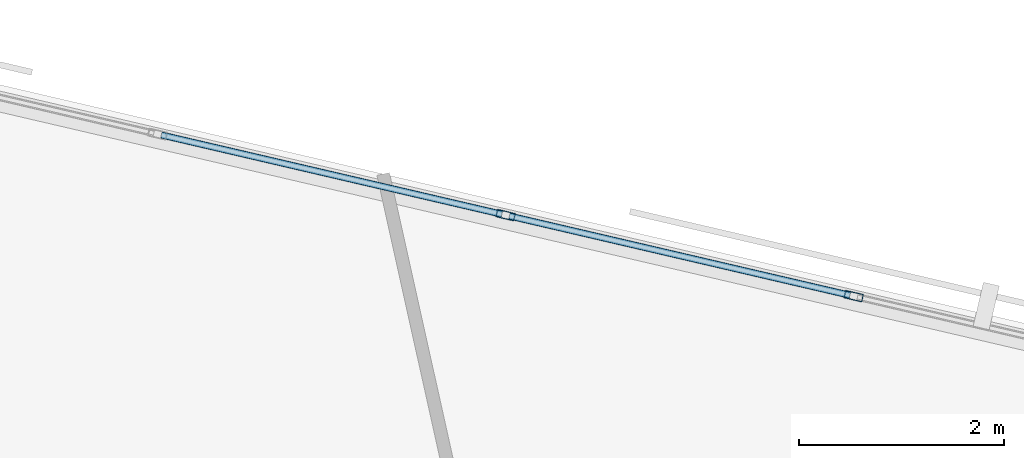
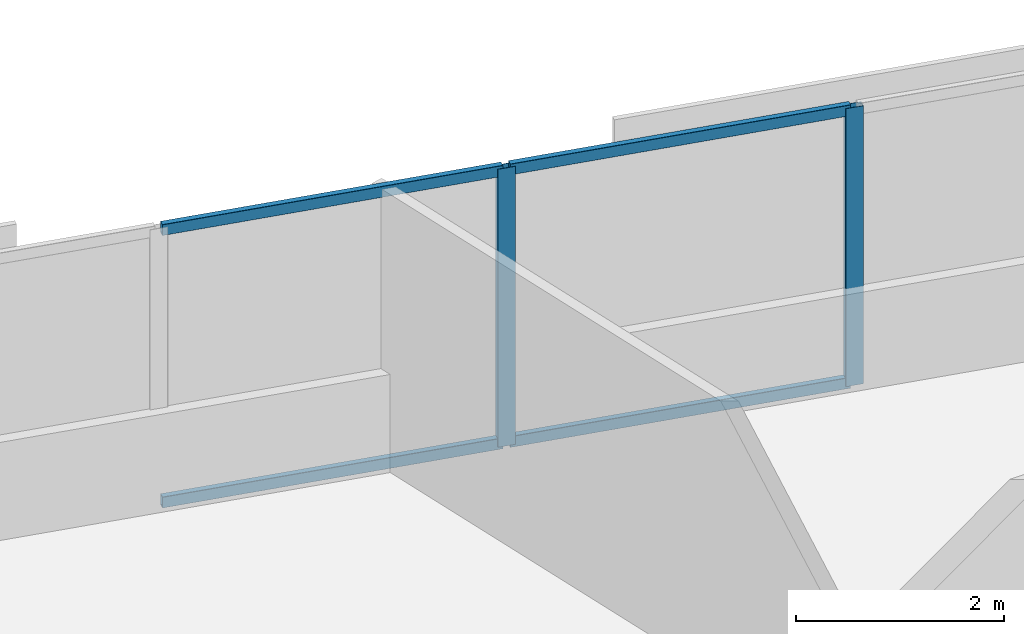
# One storey, part 7 of 14: 6 members, 1 element without a shape of its own.
"""IFC4 building model written with IfcOpenShell, lengths in metres."""

from ifc_helpers import new_model, si_unit, direction, frame, origin, origin_2d, place, context, subcontext, project, spatial, hollow_rectangle, extrude, material, material_profile, profile_set, type_object, element, aggregate, save


model = new_model("IFC4")

# Units and contexts
model_context = context("Model", 3, precision=1e-05, world=origin(), true_north=direction((0.0, 1.0)))
body_context = subcontext(model_context, "Body", "Model", "MODEL_VIEW")
ifc_project = project(units=[si_unit("LENGTHUNIT", "METRE"), si_unit("AREAUNIT", "SQUARE_METRE"), si_unit("VOLUMEUNIT", "CUBIC_METRE"), si_unit("PLANEANGLEUNIT", "RADIAN"), si_unit("MASSUNIT", "GRAM", prefix="KILO")], contexts=[model_context])

# Site, building, storey
site_placement = place(None, origin())
site = spatial("IfcSite", under=ifc_project, at=site_placement, CompositionType="ELEMENT")
building_placement = place(site_placement, origin())
building = spatial("IfcBuilding", under=site, at=building_placement, Name="Narakoshi Arena Tower", CompositionType="ELEMENT")
storey_placement = place(building_placement, frame((0.0, 0.0, 179.10009765625)))
storey = spatial("IfcBuildingStorey", under=building, at=storey_placement, Name="L48", CompositionType="ELEMENT", Elevation=179.10009765625)

# Curtain wall, members
ifc_material = material(Name="Anodised bronze aluminium 6063-T6", Category="aluminium")
curtain_wall_type = type_object("IfcCurtainWallType", Name="CW-HYP-MID", PredefinedType="NOTDEFINED", material=ifc_material)
curtain_wall_placement = place(storey_placement, origin())
curtain_wall = element("IfcCurtainWall", 1, at=curtain_wall_placement, inside=storey, type_object=curtain_wall_type, Name="L48 Folded Hypotenuse Curtain Wall 2-1", PredefinedType="NOTDEFINED")
ifc_material_profile_1 = material_profile(ifc_material, hollow_rectangle(XDim=0.074951171875, YDim=0.179931640625, WallThickness=0.00390625, OuterFilletRadius=0.0048828125, at=origin_2d()), Name="MUL180x75x4")
ifc_profile_set_1 = profile_set([ifc_material_profile_1], Name="Anodised bronze aluminium 6063-T6")
member_type_1 = type_object("IfcMemberType", Name="MEM-MUL-180", PredefinedType="MULLION", material=ifc_profile_set_1)
member_1_placement = place(storey_placement, frame((78.911376953125, 64.4443359375, 0.0), z_axis=(0.0, 0.0, 1.0), x_axis=(-0.226721182724, -0.973959704148, 0.0)))
member_1 = element("IfcMember", 2, at=member_1_placement, type_object=member_type_1, Name="CW-02 mullion 3", PredefinedType="MULLION", context=body_context, shape_type="SweptSolid", body=[
    extrude(hollow_rectangle(XDim=0.074951171875, YDim=0.179931640625, WallThickness=0.00390625, OuterFilletRadius=0.0048828125, at=origin_2d()), origin(), (0.0, 0.0, 1.0), 3.260009765625),
])
member_2_placement = place(storey_placement, frame((75.510498046875, 65.236083984375, 0.0), z_axis=(0.0, 0.0, 1.0), x_axis=(-0.226721182724, -0.973959704148, 0.0)))
member_2 = element("IfcMember", 3, at=member_2_placement, type_object=member_type_1, Name="CW-02 mullion 4", PredefinedType="MULLION", context=body_context, shape_type="SweptSolid", body=[
    extrude(hollow_rectangle(XDim=0.074951171875, YDim=0.179931640625, WallThickness=0.00390625, OuterFilletRadius=0.0048828125, at=origin_2d()), origin(), (0.0, 0.0, 1.0), 3.260009765625),
])
ifc_material_profile_2 = material_profile(ifc_material, hollow_rectangle(XDim=0.06494140625, YDim=0.1298828125, WallThickness=0.00390625, OuterFilletRadius=0.0048828125, at=origin_2d()), Name="TRN130x65x4")
ifc_profile_set_2 = profile_set([ifc_material_profile_2], Name="Anodised bronze aluminium 6063-T6")
member_type_2 = type_object("IfcMemberType", Name="MEM-TRN-130", PredefinedType="USERDEFINED", material=ifc_profile_set_2)
member_3_placement = place(storey_placement, frame((78.874755859375, 64.452880859375, 0.032470703125), z_axis=(-0.973957040336, 0.226732625751, 0.0), x_axis=(-0.226732625751, -0.973957040336, 0.0)))
member_3 = element("IfcMember", 4, at=member_3_placement, type_object=member_type_2, Name="CW-02 transom 3.1", ObjectType="TRANSOM", PredefinedType="USERDEFINED", context=body_context, shape_type="SweptSolid", body=[
    extrude(hollow_rectangle(XDim=0.06494140625, YDim=0.1298828125, WallThickness=0.00390625, OuterFilletRadius=0.0048828125, at=origin_2d()), origin(), (0.0, 0.0, 1.0), 3.41650390625),
])
member_4_placement = place(storey_placement, frame((78.874755859375, 64.452880859375, 3.227294921875), z_axis=(-0.973957040336, 0.226732625751, 0.0), x_axis=(-0.226732625751, -0.973957040336, 0.0)))
member_4 = element("IfcMember", 5, at=member_4_placement, type_object=member_type_2, Name="CW-02 transom 3.2", ObjectType="TRANSOM", PredefinedType="USERDEFINED", context=body_context, shape_type="SweptSolid", body=[
    extrude(hollow_rectangle(XDim=0.06494140625, YDim=0.1298828125, WallThickness=0.00390625, OuterFilletRadius=0.0048828125, at=origin_2d()), origin(), (0.0, 0.0, 1.0), 3.41650390625),
])
member_5_placement = place(storey_placement, frame((75.473876953125, 65.24462890625, 0.032470703125), z_axis=(-0.973957040336, 0.226732625751, 0.0), x_axis=(-0.226732625751, -0.973957040336, 0.0)))
member_5 = element("IfcMember", 6, at=member_5_placement, type_object=member_type_2, Name="CW-02 transom 4.1", ObjectType="TRANSOM", PredefinedType="USERDEFINED", context=body_context, shape_type="SweptSolid", body=[
    extrude(hollow_rectangle(XDim=0.06494140625, YDim=0.1298828125, WallThickness=0.00390625, OuterFilletRadius=0.0048828125, at=origin_2d()), origin(), (0.0, 0.0, 1.0), 3.41650390625),
])
member_6_placement = place(storey_placement, frame((75.473876953125, 65.24462890625, 3.227294921875), z_axis=(-0.973957040336, 0.226732625751, 0.0), x_axis=(-0.226732625751, -0.973957040336, 0.0)))
member_6 = element("IfcMember", 7, at=member_6_placement, type_object=member_type_2, Name="CW-02 transom 4.2", ObjectType="TRANSOM", PredefinedType="USERDEFINED", context=body_context, shape_type="SweptSolid", body=[
    extrude(hollow_rectangle(XDim=0.06494140625, YDim=0.1298828125, WallThickness=0.00390625, OuterFilletRadius=0.0048828125, at=origin_2d()), origin(), (0.0, 0.0, 1.0), 3.41650390625),
])
aggregate(curtain_wall, [member_1, member_2, member_3, member_4, member_5, member_6])

save(model, "model.ifc")
